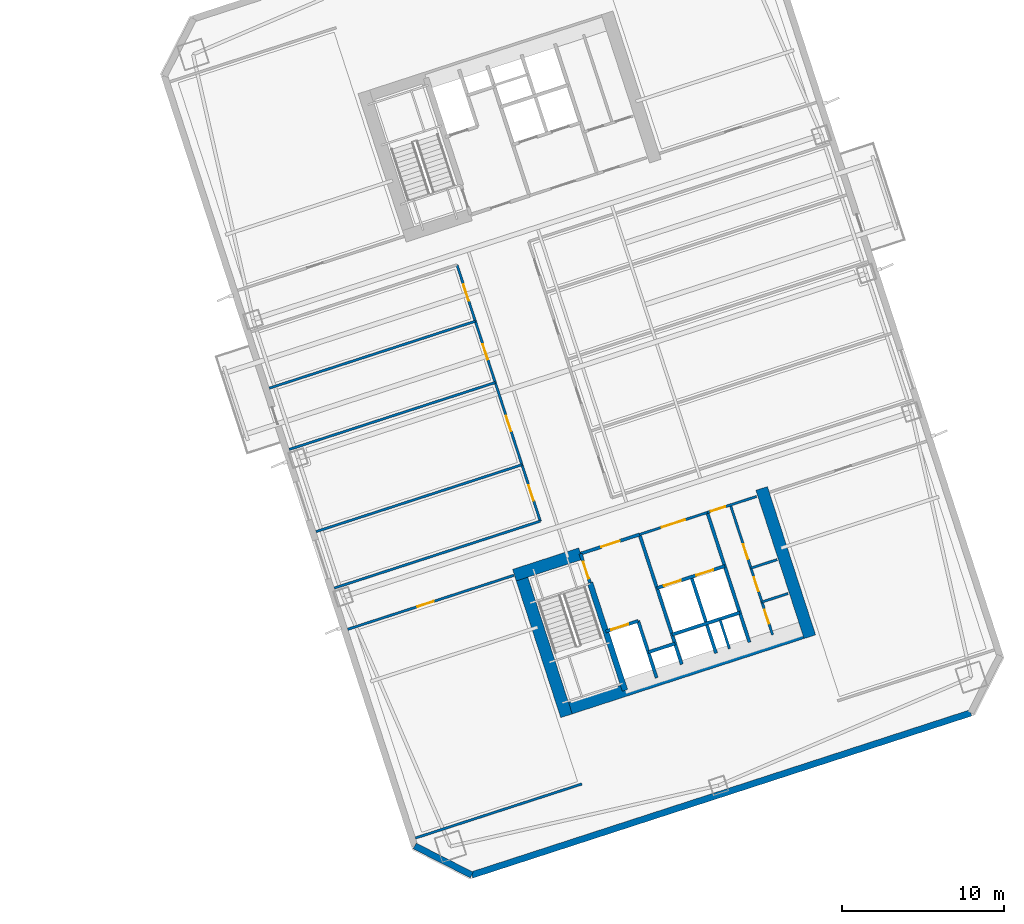
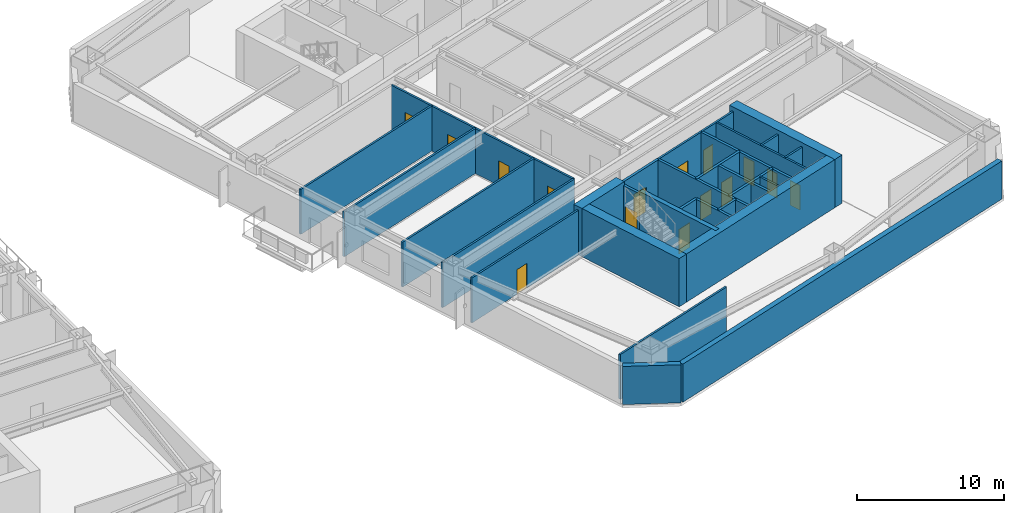
# One storey, part 7 of 21: 30 walls, 15 doors, 15 openings.
"""IFC4 building model written with IfcOpenShell, lengths in metres."""

from ifc_helpers import new_model, si_unit, direction, frame, frame_2d, origin, place, context, subcontext, project, spatial, rectangle, extrude, material, layer, layer_set, type_object, element, fill, save


model = new_model("IFC4")

# Units and contexts
model_context = context("Model", 3, precision=1e-05, world=origin(), true_north=direction((0.0, 1.0)))
body_context = subcontext(model_context, "Body", "Model", "MODEL_VIEW")
ifc_project = project(units=[si_unit("LENGTHUNIT", "METRE"), si_unit("AREAUNIT", "SQUARE_METRE"), si_unit("VOLUMEUNIT", "CUBIC_METRE"), si_unit("PLANEANGLEUNIT", "RADIAN"), si_unit("MASSUNIT", "GRAM", prefix="KILO")], contexts=[model_context])

# Site, building, storey
site_placement = place(None, origin())
site = spatial("IfcSite", under=ifc_project, at=site_placement, CompositionType="ELEMENT")
building_placement = place(site_placement, origin())
building = spatial("IfcBuilding", under=site, at=building_placement, Name="Qiaolan Cultural Towers", CompositionType="ELEMENT")
storey_placement = place(building_placement, frame((0.0, 0.0, 34.0)))
storey = spatial("IfcBuildingStorey", under=building, at=storey_placement, Name="L07", CompositionType="ELEMENT", Elevation=34.0)

# Walls
ifc_material_1 = material(Name="Concrete C50", Category="concrete")
ifc_layer_1 = layer(ifc_material_1, 0.35009765625)
ifc_layer_set_1 = layer_set([ifc_layer_1], Name="Concrete C50")
wall_type_1 = type_object("IfcWallType", Name="WL-CORE-350", PredefinedType="SHEAR", material=ifc_layer_set_1)
wall_1_placement = place(storey_placement, frame((90.486328125, 20.59423828125, 0.0), z_axis=(0.0, 0.0, 1.0), x_axis=(0.309020428229, -0.951055400562, 0.0)))
element("IfcWall", 1, at=wall_1_placement, inside=storey, type_object=wall_type_1, Name="L07 T2-CS Stair Core Dividing Web", PredefinedType="SHEAR", context=body_context, shape_type="SweptSolid", body=[
    extrude(rectangle(XDim=6.97998046875, YDim=0.35009765625, at=frame_2d((3.489990234375, 0.0))), origin(), (0.0, 0.0, 1.0), 4.0),
])
ifc_material_2 = material(Name="Concrete C60", Category="concrete")
ifc_layer_2 = layer(ifc_material_2, 0.75)
ifc_layer_set_2 = layer_set([ifc_layer_2], Name="Concrete C60")
wall_type_2 = type_object("IfcWallType", Name="WL-CORE-750", PredefinedType="SHEAR", material=ifc_layer_set_2)
wall_2_placement = place(storey_placement, frame((88.55859375, 12.628662109375, 0.0), z_axis=(0.0, 0.0, 1.0), x_axis=(0.951056072937, 0.309018358888, 0.0)))
element("IfcWall", 2, at=wall_2_placement, inside=storey, type_object=wall_type_2, Name="L07 T2-CS Outer Core Shear Wall", PredefinedType="SHEAR", context=body_context, shape_type="SweptSolid", body=[
    extrude(rectangle(XDim=16.550048828125, YDim=0.75, at=frame_2d((8.27490234375, 0.0))), origin(), (0.0, 0.0, 1.0), 4.0),
])
wall_3_placement = place(storey_placement, frame((86.05517578125, 21.54638671875, 0.0), z_axis=(0.0, 0.0, 1.0), x_axis=(0.309023585745, -0.951054374604, 0.0)))
element("IfcWall", 3, at=wall_3_placement, inside=storey, type_object=wall_type_2, Name="L07 T2-CS West Core Shear Wall", PredefinedType="SHEAR", context=body_context, shape_type="SweptSolid", body=[
    extrude(rectangle(XDim=9.6298828125, YDim=0.75, at=frame_2d((4.81494140625, 0.0))), origin(), (0.0, 0.0, 1.0), 4.0),
])
wall_4_placement = place(storey_placement, frame((101.08203125, 26.428955078125, 0.0), z_axis=(0.0, 0.0, 1.0), x_axis=(0.309016134813, -0.951056795583, 0.0)))
element("IfcWall", 4, at=wall_4_placement, inside=storey, type_object=wall_type_2, Name="L07 T2-CS East Core Shear Wall", PredefinedType="SHEAR", context=body_context, shape_type="SweptSolid", body=[
    extrude(rectangle(XDim=9.630126953125, YDim=0.75, at=frame_2d((4.81494140625, 0.0))), origin(), (0.0, 0.0, 1.0), 4.0),
])
wall_5_placement = place(storey_placement, frame((85.814453125, 21.073974609375, 0.0), z_axis=(0.0, 0.0, 1.0), x_axis=(0.95106580992, 0.308988390074, 0.0)))
element("IfcWall", 5, at=wall_5_placement, inside=storey, type_object=wall_type_2, Name="L07 T2-CS Stair Front Shear Wall", PredefinedType="SHEAR", context=body_context, shape_type="SweptSolid", body=[
    extrude(rectangle(XDim=4.295166015625, YDim=0.75, at=frame_2d((2.1474609375, 0.0))), origin(), (0.0, 0.0, 1.0), 4.0),
])
ifc_material_3 = material(Name="Precast Concrete C50 Honed Stone Pier", Category="masonry")
ifc_layer_3 = layer(ifc_material_3, 0.39990234375)
ifc_layer_set_3 = layer_set([ifc_layer_3], Name="Precast Concrete C50 Honed Stone Pier")
wall_type_3 = type_object("IfcWallType", Name="WL-EXT-PIER-400", PredefinedType="SOLIDWALL", material=ifc_layer_set_3)
wall_6_placement = place(storey_placement, frame((113.997802734375, 12.566650390625, 0.0), z_axis=(0.0, 0.0, 1.0), x_axis=(-0.951055939317, -0.309018770125, 0.0)))
element("IfcWall", 6, at=wall_6_placement, inside=storey, type_object=wall_type_3, Name="L07 East Tower Precast Pier Facade Wall F7", PredefinedType="SOLIDWALL", context=body_context, shape_type="SweptSolid", body=[
    extrude(rectangle(XDim=32.39990234375, YDim=0.39990234375, at=frame_2d((16.199951171875, 0.0))), origin(), (0.0, 0.0, 1.0), 3.159912109375),
])
wall_7_placement = place(storey_placement, frame((83.18359375, 2.554443359375, 0.0), z_axis=(0.0, 0.0, 1.0), x_axis=(-0.890998089617, 0.454007053137, 0.0)))
element("IfcWall", 7, at=wall_7_placement, inside=storey, type_object=wall_type_3, Name="L07 East Tower Precast Pier Facade Wall F8", PredefinedType="SOLIDWALL", context=body_context, shape_type="SweptSolid", body=[
    extrude(rectangle(XDim=3.9599609375, YDim=0.39990234375, at=frame_2d((1.97998046875, 0.0))), origin(), (0.0, 0.0, 1.0), 3.159912109375),
])

# Wall, opening, door
ifc_material_4 = material(Name="Concrete C35 Fire Wall", Category="concrete")
ifc_layer_4 = layer(ifc_material_4, 0.199951171875)
ifc_layer_set_4 = layer_set([ifc_layer_4], Name="Concrete C35 Fire Wall")
wall_type_4 = type_object("IfcWallType", Name="WL-FIRE-200", PredefinedType="PARTITIONING", material=ifc_layer_set_4)
wall_8_placement = place(storey_placement, frame((89.8994140625, 22.401123046875, 0.0), z_axis=(0.0, 0.0, 1.0), x_axis=(0.308932062672, -0.951084108086, 0.0)))
wall_8 = element("IfcWall", 8, at=wall_8_placement, inside=storey, type_object=wall_type_4, Name="L07 T2-CS Smokeproof Stair Entry Wall", PredefinedType="PARTITIONING", context=body_context, shape_type="SweptSolid", body=[
    extrude(rectangle(XDim=1.89990234375, YDim=0.199951171875, at=frame_2d((0.949951171875, 0.0))), origin(), (0.0, 0.0, 1.0), 3.72509765625),
])
opening_1_placement = place(wall_8_placement, frame((0.52001953125, 0.0, 0.0)))
opening_1 = element("IfcOpeningElement", 9, at=opening_1_placement, cuts=wall_8, Name="Opening FD-04", PredefinedType="OPENING", context=body_context, shape_type="SweptSolid", body=[
    extrude(rectangle(XDim=1.10009765625, YDim=2.050048828125, at=frame_2d((0.550048828125, 1.02490234375))), frame((0.0, 0.10986328125, 0.0), z_axis=(0.0, -1.0, 0.0), x_axis=(1.0, 0.0, 0.0)), (0.0, 0.0, 1.0), 0.219970703125),
])
ifc_material_5 = material(Name="Galvanized Steel Command Fire Door", Category="steel")
door_type_1 = type_object("IfcDoorType", Name="DR-FD90-1100", OperationType="NOTDEFINED", PredefinedType="DOOR", material=ifc_material_5)
door_1_placement = place(opening_1_placement, origin())
door_1 = element("IfcDoor", 10, at=door_1_placement, inside=storey, type_object=door_type_1, Name="L07 ST-E1 Smokeproof Stair Fire Door", OperationType="SINGLE_SWING_LEFT", OverallHeight=2.050048828125, OverallWidth=1.10009765625, PredefinedType="DOOR", context=body_context, shape_type="SweptSolid", body=[
    extrude(rectangle(XDim=1.10009765625, YDim=2.050048828125, at=frame_2d((0.550048828125, 1.02490234375))), frame((0.0, 0.02490234375, 0.0), z_axis=(0.0, -1.0, 0.0), x_axis=(1.0, 0.0, 0.0)), (0.0, 0.0, 1.0), 0.050048828125),
])
fill(opening_1, door_1)

# Wall
wall_9_placement = place(storey_placement, frame((93.541748046875, 23.584716796875, 0.0), z_axis=(0.0, 0.0, 1.0), x_axis=(0.309042196757, -0.951048327176, 0.0)))
element("IfcWall", 11, at=wall_9_placement, inside=storey, type_object=wall_type_4, Name="L07 T2-CS Firefighting Zone Wall", PredefinedType="PARTITIONING", context=body_context, shape_type="SweptSolid", body=[
    extrude(rectangle(XDim=8.429931640625, YDim=0.199951171875, at=frame_2d((4.21484375, 0.0))), origin(), (0.0, 0.0, 1.0), 3.72509765625),
])

# Wall, opening, door
wall_10_placement = place(storey_placement, frame((89.8994140625, 22.401123046875, 0.0), z_axis=(0.0, 0.0, 1.0), x_axis=(0.951046716504, 0.309047153403, 0.0)))
wall_10 = element("IfcWall", 12, at=wall_10_placement, inside=storey, type_object=wall_type_4, Name="L07 T2-CS Firefighting Lobby Front Wall", PredefinedType="PARTITIONING", context=body_context, shape_type="SweptSolid", body=[
    extrude(rectangle(XDim=3.829833984375, YDim=0.199951171875, at=frame_2d((1.9150390625, 0.0))), origin(), (0.0, 0.0, 1.0), 3.72509765625),
])
opening_2_placement = place(wall_10_placement, frame((1.35009765625, 0.0, 0.0)))
opening_2 = element("IfcOpeningElement", 13, at=opening_2_placement, cuts=wall_10, Name="Opening FD-03", PredefinedType="OPENING", context=body_context, shape_type="SweptSolid", body=[
    extrude(rectangle(XDim=1.199951171875, YDim=2.050048828125, at=frame_2d((0.60009765625, 1.02490234375))), frame((0.0, 0.10986328125, 0.0), z_axis=(0.0, -1.0, 0.0), x_axis=(1.0, 0.0, 0.0)), (0.0, 0.0, 1.0), 0.219970703125),
])
ifc_material_6 = material(Name="Galvanized Steel Smokeproof Lobby Fire Door", Category="steel")
door_type_2 = type_object("IfcDoorType", Name="DR-FD90-1200", OperationType="NOTDEFINED", PredefinedType="DOOR", material=ifc_material_6)
door_2_placement = place(opening_2_placement, origin())
door_2 = element("IfcDoor", 14, at=door_2_placement, inside=storey, type_object=door_type_2, Name="L07 FFL-E1 Firefighting Lobby Fire Door", OperationType="SINGLE_SWING_LEFT", OverallHeight=2.050048828125, OverallWidth=1.199951171875, PredefinedType="DOOR", context=body_context, shape_type="SweptSolid", body=[
    extrude(rectangle(XDim=1.199951171875, YDim=2.050048828125, at=frame_2d((0.60009765625, 1.02490234375))), frame((0.0, 0.02490234375, 0.0), z_axis=(0.0, -1.0, 0.0), x_axis=(1.0, 0.0, 0.0)), (0.0, 0.0, 1.0), 0.050048828125),
])
fill(opening_2, door_2)

wall_11_placement = place(storey_placement, frame((91.459716796875, 17.598388671875, 0.0), z_axis=(0.0, 0.0, 1.0), x_axis=(0.951062257173, 0.308999325213, 0.0)))
wall_11 = element("IfcWall", 15, at=wall_11_placement, inside=storey, type_object=wall_type_4, Name="L07 T2-CS Firefighting Shaft Front Wall", PredefinedType="PARTITIONING", context=body_context, shape_type="SweptSolid", body=[
    extrude(rectangle(XDim=2.10009765625, YDim=0.199951171875, at=frame_2d((1.050048828125, 0.0))), origin(), (0.0, 0.0, 1.0), 3.72509765625),
])
opening_3_placement = place(wall_11_placement, frame((0.35009765625, 0.0, 0.0)))
opening_3 = element("IfcOpeningElement", 16, at=opening_3_placement, cuts=wall_11, Name="Opening LD-01", PredefinedType="OPENING", context=body_context, shape_type="SweptSolid", body=[
    extrude(rectangle(XDim=1.10009765625, YDim=2.050048828125, at=frame_2d((0.550048828125, 1.02490234375))), frame((0.0, 0.10986328125, 0.0), z_axis=(0.0, -1.0, 0.0), x_axis=(1.0, 0.0, 0.0)), (0.0, 0.0, 1.0), 0.219970703125),
])
ifc_material_7 = material(Name="Brushed Stainless Steel S30408 Centre-Parting Lift Landing Door", Category="steel")
door_type_3 = type_object("IfcDoorType", Name="DR-LIFT-1100", OperationType="NOTDEFINED", PredefinedType="DOOR", material=ifc_material_7)
door_3_placement = place(opening_3_placement, origin())
door_3 = element("IfcDoor", 17, at=door_3_placement, inside=storey, type_object=door_type_3, Name="L07 FFL-E1 Firefighting Lift Landing Door", OperationType="DOUBLE_DOOR_SLIDING", OverallHeight=2.050048828125, OverallWidth=1.10009765625, PredefinedType="DOOR", context=body_context, shape_type="SweptSolid", body=[
    extrude(rectangle(XDim=1.10009765625, YDim=2.050048828125, at=frame_2d((0.550048828125, 1.02490234375))), frame((0.0, 0.02490234375, 0.0), z_axis=(0.0, -1.0, 0.0), x_axis=(1.0, 0.0, 0.0)), (0.0, 0.0, 1.0), 0.050048828125),
])
fill(opening_3, door_3)

# Walls
wall_12_placement = place(storey_placement, frame((93.45703125, 18.247314453125, 0.0), z_axis=(0.0, 0.0, 1.0), x_axis=(0.3089935693, -0.951064127245, 0.0)))
element("IfcWall", 18, at=wall_12_placement, inside=storey, type_object=wall_type_4, Name="L07 T2-CS Firefighting Hoistway East Wall", PredefinedType="PARTITIONING", context=body_context, shape_type="SweptSolid", body=[
    extrude(rectangle(XDim=3.7001953125, YDim=0.199951171875, at=frame_2d((1.85009765625, 0.0))), origin(), (0.0, 0.0, 1.0), 3.72509765625),
])
wall_13_placement = place(storey_placement, frame((94.08447265625, 16.316650390625, 0.0), z_axis=(0.0, 0.0, 1.0), x_axis=(0.951041328149, 0.309063734775, 0.0)))
element("IfcWall", 19, at=wall_13_placement, inside=storey, type_object=wall_type_4, Name="L07 T2-CS Pressurization Shaft Front Wall", PredefinedType="PARTITIONING", context=body_context, shape_type="SweptSolid", body=[
    extrude(rectangle(XDim=1.72998046875, YDim=0.199951171875, at=frame_2d((0.864990234375, 0.0))), origin(), (0.0, 0.0, 1.0), 3.72509765625),
])
wall_14_placement = place(storey_placement, frame((97.7265625, 24.9443359375, 0.0), z_axis=(0.0, 0.0, 1.0), x_axis=(0.309016001439, -0.951056838919, 0.0)))
element("IfcWall", 20, at=wall_14_placement, inside=storey, type_object=wall_type_4, Name="L07 T2-CS Lift Core East Wall", PredefinedType="PARTITIONING", context=body_context, shape_type="SweptSolid", body=[
    extrude(rectangle(XDim=8.429931640625, YDim=0.199951171875, at=frame_2d((4.21484375, 0.0))), origin(), (0.0, 0.0, 1.0), 3.72509765625),
])

# Wall, openings, doors
wall_15_placement = place(storey_placement, frame((94.6171875, 20.275146484375, 0.0), z_axis=(0.0, 0.0, 1.0), x_axis=(0.951058531764, 0.30901079133, 0.0)))
wall_15 = element("IfcWall", 21, at=wall_15_placement, inside=storey, type_object=wall_type_4, Name="L07 T2-CS Passenger Lift Shaft Front Wall", PredefinedType="PARTITIONING", context=body_context, shape_type="SweptSolid", body=[
    extrude(rectangle(XDim=4.39990234375, YDim=0.199951171875, at=frame_2d((2.199951171875, 0.0))), origin(), (0.0, 0.0, 1.0), 3.72509765625),
])
opening_4_placement = place(wall_15_placement, frame((0.449951171875, 0.0, 0.0)))
opening_4 = element("IfcOpeningElement", 22, at=opening_4_placement, cuts=wall_15, Name="Opening LD-01", PredefinedType="OPENING", context=body_context, shape_type="SweptSolid", body=[
    extrude(rectangle(XDim=1.10009765625, YDim=2.050048828125, at=frame_2d((0.550048828125, 1.02490234375))), frame((0.0, 0.10986328125, 0.0), z_axis=(0.0, -1.0, 0.0), x_axis=(1.0, 0.0, 0.0)), (0.0, 0.0, 1.0), 0.219970703125),
])
opening_5_placement = place(wall_15_placement, frame((2.550048828125, 0.0, 0.0)))
opening_5 = element("IfcOpeningElement", 23, at=opening_5_placement, cuts=wall_15, Name="Opening LD-01", PredefinedType="OPENING", context=body_context, shape_type="SweptSolid", body=[
    extrude(rectangle(XDim=1.10009765625, YDim=2.050048828125, at=frame_2d((0.550048828125, 1.02490234375))), frame((0.0, 0.10986328125, 0.0), z_axis=(0.0, -1.0, 0.0), x_axis=(1.0, 0.0, 0.0)), (0.0, 0.0, 1.0), 0.219970703125),
])
door_4_placement = place(opening_4_placement, origin())
door_4 = element("IfcDoor", 24, at=door_4_placement, inside=storey, type_object=door_type_3, Name="L07 Passenger Lift 1 Landing Door", OperationType="DOUBLE_DOOR_SLIDING", OverallHeight=2.050048828125, OverallWidth=1.10009765625, PredefinedType="DOOR", context=body_context, shape_type="SweptSolid", body=[
    extrude(rectangle(XDim=1.10009765625, YDim=2.050048828125, at=frame_2d((0.550048828125, 1.02490234375))), frame((0.0, 0.02490234375, 0.0), z_axis=(0.0, -1.0, 0.0), x_axis=(1.0, 0.0, 0.0)), (0.0, 0.0, 1.0), 0.050048828125),
])
fill(opening_4, door_4)
door_5_placement = place(opening_5_placement, origin())
door_5 = element("IfcDoor", 25, at=door_5_placement, inside=storey, type_object=door_type_3, Name="L07 Passenger Lift 2 Landing Door", OperationType="DOUBLE_DOOR_SLIDING", OverallHeight=2.050048828125, OverallWidth=1.10009765625, PredefinedType="DOOR", context=body_context, shape_type="SweptSolid", body=[
    extrude(rectangle(XDim=1.10009765625, YDim=2.050048828125, at=frame_2d((0.550048828125, 1.02490234375))), frame((0.0, 0.02490234375, 0.0), z_axis=(0.0, -1.0, 0.0), x_axis=(1.0, 0.0, 0.0)), (0.0, 0.0, 1.0), 0.050048828125),
])
fill(opening_5, door_5)

# Walls
wall_16_placement = place(storey_placement, frame((96.738037109375, 20.964111328125, 0.0), z_axis=(0.0, 0.0, 1.0), x_axis=(0.309042578481, -0.951048203135, 0.0)))
element("IfcWall", 26, at=wall_16_placement, inside=storey, type_object=wall_type_4, Name="L07 T2-CS Lift Shaft Divider Wall", PredefinedType="PARTITIONING", context=body_context, shape_type="SweptSolid", body=[
    extrude(rectangle(XDim=4.9501953125, YDim=0.199951171875, at=frame_2d((2.47509765625, 0.0))), origin(), (0.0, 0.0, 1.0), 3.72509765625),
])
wall_17_placement = place(storey_placement, frame((95.550537109375, 17.40283203125, 0.0), z_axis=(0.0, 0.0, 1.0), x_axis=(0.951058531764, 0.30901079133, 0.0)))
element("IfcWall", 27, at=wall_17_placement, inside=storey, type_object=wall_type_4, Name="L07 T2-CS Passenger Lift Shaft Back Wall", PredefinedType="PARTITIONING", context=body_context, shape_type="SweptSolid", body=[
    extrude(rectangle(XDim=4.39990234375, YDim=0.199951171875, at=frame_2d((2.199951171875, 0.0))), origin(), (0.0, 0.0, 1.0), 3.72509765625),
])

# Wall, opening, door
ifc_material_8 = material(Name="Autoclaved Aerated Concrete Block B06", Category="concrete")
ifc_layer_5 = layer(ifc_material_8, 0.14990234375)
ifc_layer_set_5 = layer_set([ifc_layer_5], Name="Autoclaved Aerated Concrete Block B06")
wall_type_5 = type_object("IfcWallType", Name="WL-PART-150", PredefinedType="PARTITIONING", material=ifc_layer_set_5)
wall_18_placement = place(storey_placement, frame((93.541748046875, 23.584716796875, 0.0), z_axis=(0.0, 0.0, 1.0), x_axis=(0.951063829732, 0.308994485023, 0.0)))
wall_18 = element("IfcWall", 28, at=wall_18_placement, inside=storey, type_object=wall_type_5, Name="L07 T2-CS Passenger Lift Lobby Front Wall", PredefinedType="PARTITIONING", context=body_context, shape_type="SweptSolid", body=[
    extrude(rectangle(XDim=4.400146484375, YDim=0.14990234375, at=frame_2d((2.2001953125, 0.0))), origin(), (0.0, 0.0, 1.0), 3.72509765625),
])
opening_6_placement = place(wall_18_placement, frame((1.449951171875, 0.0, 0.0)))
opening_6 = element("IfcOpeningElement", 29, at=opening_6_placement, cuts=wall_18, Name="Opening FD-05", PredefinedType="OPENING", context=body_context, shape_type="SweptSolid", body=[
    extrude(rectangle(XDim=1.5, YDim=2.050048828125, at=frame_2d((0.75, 1.02490234375))), frame((0.0, 0.0849609375, 0.0), z_axis=(0.0, -1.0, 0.0), x_axis=(1.0, 0.0, 0.0)), (0.0, 0.0, 1.0), 0.169921875),
])
ifc_material_9 = material(Name="Painted Steel Lift Lobby Fire Door", Category="steel")
door_type_4 = type_object("IfcDoorType", Name="DR-FD60-1500", OperationType="NOTDEFINED", PredefinedType="DOOR", material=ifc_material_9)
door_6_placement = place(opening_6_placement, origin())
door_6 = element("IfcDoor", 30, at=door_6_placement, inside=storey, type_object=door_type_4, Name="L07 Passenger Lift Lobby Entrance", OperationType="SINGLE_SWING_LEFT", OverallHeight=2.050048828125, OverallWidth=1.5, PredefinedType="DOOR", context=body_context, shape_type="SweptSolid", body=[
    extrude(rectangle(XDim=1.5, YDim=2.050048828125, at=frame_2d((0.75, 1.02490234375))), frame((0.0, 0.02490234375, 0.0), z_axis=(0.0, -1.0, 0.0), x_axis=(1.0, 0.0, 0.0)), (0.0, 0.0, 1.0), 0.050048828125),
])
fill(opening_6, door_6)

# Wall
wall_19_placement = place(storey_placement, frame((98.51416015625, 18.313232421875, 0.0), z_axis=(0.0, 0.0, 1.0), x_axis=(0.309089008895, -0.951033114345, 0.0)))
element("IfcWall", 31, at=wall_19_placement, inside=storey, type_object=wall_type_5, Name="L07 T2-CS Core Rear Asymmetric Wall", PredefinedType="PARTITIONING", context=body_context, shape_type="SweptSolid", body=[
    extrude(rectangle(XDim=1.8798828125, YDim=0.14990234375, at=frame_2d((0.93994140625, 0.0))), origin(), (0.0, 0.0, 1.0), 3.72509765625),
])

# Wall, opening, door
wall_20_placement = place(storey_placement, frame((97.7265625, 24.9443359375, 0.0), z_axis=(0.0, 0.0, 1.0), x_axis=(0.951036872128, 0.309077446369, 0.0)))
wall_20 = element("IfcWall", 32, at=wall_20_placement, inside=storey, type_object=wall_type_5, Name="L07 T2-CS Sanitary Core Front Wall", PredefinedType="PARTITIONING", context=body_context, shape_type="SweptSolid", body=[
    extrude(rectangle(XDim=3.199951171875, YDim=0.14990234375, at=frame_2d((1.60009765625, 0.0))), origin(), (0.0, 0.0, 1.0), 3.72509765625),
])
opening_7_placement = place(wall_20_placement, frame((0.219970703125, 0.0, 0.0)))
opening_7 = element("IfcOpeningElement", 33, at=opening_7_placement, cuts=wall_20, Name="Opening ID-05", PredefinedType="OPENING", context=body_context, shape_type="SweptSolid", body=[
    extrude(rectangle(XDim=0.949951171875, YDim=2.050048828125, at=frame_2d((0.47509765625, 1.02490234375))), frame((0.0, 0.0849609375, 0.0), z_axis=(0.0, -1.0, 0.0), x_axis=(1.0, 0.0, 0.0)), (0.0, 0.0, 1.0), 0.169921875),
])
ifc_material_10 = material(Name="Fire-Rated Laminate Accessible Core Door", Category="timber")
door_type_5 = type_object("IfcDoorType", Name="DR-INT-950", OperationType="NOTDEFINED", PredefinedType="DOOR", material=ifc_material_10)
door_7_placement = place(opening_7_placement, origin())
door_7 = element("IfcDoor", 34, at=door_7_placement, inside=storey, type_object=door_type_5, Name="L07 Sanitary Vestibule Door", OperationType="SINGLE_SWING_LEFT", OverallHeight=2.050048828125, OverallWidth=0.949951171875, PredefinedType="DOOR", context=body_context, shape_type="SweptSolid", body=[
    extrude(rectangle(XDim=0.949951171875, YDim=2.050048828125, at=frame_2d((0.47509765625, 1.02490234375))), frame((0.0, 0.02490234375, 0.0), z_axis=(0.0, -1.0, 0.0), x_axis=(1.0, 0.0, 0.0)), (0.0, 0.0, 1.0), 0.050048828125),
])
fill(opening_7, door_7)

# Wall, openings, doors
wall_21_placement = place(storey_placement, frame((99.153076171875, 25.407958984375, 0.0), z_axis=(0.0, 0.0, 1.0), x_axis=(0.309016001439, -0.951056838919, 0.0)))
wall_21 = element("IfcWall", 35, at=wall_21_placement, inside=storey, type_object=wall_type_5, Name="L07 T2-CS Sanitary Vestibule Wall", PredefinedType="PARTITIONING", context=body_context, shape_type="SweptSolid", body=[
    extrude(rectangle(XDim=8.429931640625, YDim=0.14990234375, at=frame_2d((4.21484375, 0.0))), origin(), (0.0, 0.0, 1.0), 3.72509765625),
])
opening_8_placement = place(wall_21_placement, frame((2.550048828125, 0.0, 0.0)))
opening_8 = element("IfcOpeningElement", 36, at=opening_8_placement, cuts=wall_21, Name="Opening ID-05", PredefinedType="OPENING", context=body_context, shape_type="SweptSolid", body=[
    extrude(rectangle(XDim=0.949951171875, YDim=2.050048828125, at=frame_2d((0.47509765625, 1.02490234375))), frame((0.0, 0.0849609375, 0.0), z_axis=(0.0, -1.0, 0.0), x_axis=(1.0, 0.0, 0.0)), (0.0, 0.0, 1.0), 0.169921875),
])
opening_9_placement = place(wall_21_placement, frame((4.699951171875, 0.0, 0.0)))
opening_9 = element("IfcOpeningElement", 37, at=opening_9_placement, cuts=wall_21, Name="Opening ID-06", PredefinedType="OPENING", context=body_context, shape_type="SweptSolid", body=[
    extrude(rectangle(XDim=0.89990234375, YDim=2.050048828125, at=frame_2d((0.449951171875, 1.02490234375))), frame((0.0, 0.0849609375, 0.0), z_axis=(0.0, -1.0, 0.0), x_axis=(1.0, 0.0, 0.0)), (0.0, 0.0, 1.0), 0.169921875),
])
opening_10_placement = place(wall_21_placement, frame((6.800048828125, 0.0, 0.0)))
opening_10 = element("IfcOpeningElement", 38, at=opening_10_placement, cuts=wall_21, Name="Opening ID-06", PredefinedType="OPENING", context=body_context, shape_type="SweptSolid", body=[
    extrude(rectangle(XDim=0.89990234375, YDim=2.050048828125, at=frame_2d((0.449951171875, 1.02490234375))), frame((0.0, 0.0849609375, 0.0), z_axis=(0.0, -1.0, 0.0), x_axis=(1.0, 0.0, 0.0)), (0.0, 0.0, 1.0), 0.169921875),
])
ifc_material_11 = material(Name="Fire-Rated Laminate Core Service Door", Category="timber")
door_type_6 = type_object("IfcDoorType", Name="DR-INT-900", OperationType="NOTDEFINED", PredefinedType="DOOR", material=ifc_material_11)
door_8_placement = place(opening_9_placement, origin())
door_8 = element("IfcDoor", 39, at=door_8_placement, inside=storey, type_object=door_type_6, Name="L07 Men Washroom Door", OperationType="SINGLE_SWING_LEFT", OverallHeight=2.050048828125, OverallWidth=0.89990234375, PredefinedType="DOOR", context=body_context, shape_type="SweptSolid", body=[
    extrude(rectangle(XDim=0.89990234375, YDim=2.050048828125, at=frame_2d((0.449951171875, 1.02490234375))), frame((0.0, 0.02490234375, 0.0), z_axis=(0.0, -1.0, 0.0), x_axis=(1.0, 0.0, 0.0)), (0.0, 0.0, 1.0), 0.050048828125),
])
fill(opening_9, door_8)
door_9_placement = place(opening_10_placement, origin())
door_9 = element("IfcDoor", 40, at=door_9_placement, inside=storey, type_object=door_type_6, Name="L07 Women Washroom Door", OperationType="SINGLE_SWING_RIGHT", OverallHeight=2.050048828125, OverallWidth=0.89990234375, PredefinedType="DOOR", context=body_context, shape_type="SweptSolid", body=[
    extrude(rectangle(XDim=0.89990234375, YDim=2.050048828125, at=frame_2d((0.449951171875, 1.02490234375))), frame((0.0, 0.02490234375, 0.0), z_axis=(0.0, -1.0, 0.0), x_axis=(1.0, 0.0, 0.0)), (0.0, 0.0, 1.0), 0.050048828125),
])
fill(opening_10, door_9)
door_10_placement = place(opening_8_placement, origin())
door_10 = element("IfcDoor", 41, at=door_10_placement, inside=storey, type_object=door_type_5, Name="L07 Accessible Family Washroom Door", OperationType="SINGLE_SWING_LEFT", OverallHeight=2.050048828125, OverallWidth=0.949951171875, PredefinedType="DOOR", context=body_context, shape_type="SweptSolid", body=[
    extrude(rectangle(XDim=0.949951171875, YDim=2.050048828125, at=frame_2d((0.47509765625, 1.02490234375))), frame((0.0, 0.02490234375, 0.0), z_axis=(0.0, -1.0, 0.0), x_axis=(1.0, 0.0, 0.0)), (0.0, 0.0, 1.0), 0.050048828125),
])
fill(opening_8, door_10)

# Walls
wall_22_placement = place(storey_placement, frame((100.420166015625, 21.508544921875, 0.0), z_axis=(0.0, 0.0, 1.0), x_axis=(0.951040401051, 0.309066587596, 0.0)))
element("IfcWall", 42, at=wall_22_placement, inside=storey, type_object=wall_type_5, Name="L07 T2-CS Restroom Split Wall 1", PredefinedType="PARTITIONING", context=body_context, shape_type="SweptSolid", body=[
    extrude(rectangle(XDim=1.699951171875, YDim=0.14990234375, at=frame_2d((0.85009765625, 0.0))), origin(), (0.0, 0.0, 1.0), 3.72509765625),
])
wall_23_placement = place(storey_placement, frame((101.099853515625, 19.416259765625, 0.0), z_axis=(0.0, 0.0, 1.0), x_axis=(0.951054116971, 0.309024378638, 0.0)))
element("IfcWall", 43, at=wall_23_placement, inside=storey, type_object=wall_type_5, Name="L07 T2-CS Restroom Split Wall 2", PredefinedType="PARTITIONING", context=body_context, shape_type="SweptSolid", body=[
    extrude(rectangle(XDim=1.7001953125, YDim=0.14990234375, at=frame_2d((0.85009765625, 0.0))), origin(), (0.0, 0.0, 1.0), 3.72509765625),
])
wall_24_placement = place(storey_placement, frame((79.70654296875, 4.842041015625, 0.0), z_axis=(0.0, 0.0, 1.0), x_axis=(0.951056658866, 0.309016555588, 0.0)))
element("IfcWall", 44, at=wall_24_placement, inside=storey, type_object=wall_type_5, Name="L07 T2 Flank Wall FLK-SW", PredefinedType="PARTITIONING", context=body_context, shape_type="SweptSolid", body=[
    extrude(rectangle(XDim=10.800048828125, YDim=0.14990234375, at=frame_2d((5.39990234375, 0.0))), origin(), (0.0, 0.0, 1.0), 3.72509765625),
])

# Wall, opening, door
wall_25_placement = place(storey_placement, frame((75.519287109375, 17.728759765625, 0.0), z_axis=(0.0, 0.0, 1.0), x_axis=(0.951056658866, 0.309016555588, 0.0)))
wall_25 = element("IfcWall", 45, at=wall_25_placement, inside=storey, type_object=wall_type_5, Name="L07 T2 Flank Front FLK-SW", PredefinedType="PARTITIONING", context=body_context, shape_type="SweptSolid", body=[
    extrude(rectangle(XDim=10.800048828125, YDim=0.14990234375, at=frame_2d((5.39990234375, 0.0))), origin(), (0.0, 0.0, 1.0), 3.72509765625),
])
opening_11_placement = place(wall_25_placement, frame((4.535888671875, 0.0, 0.0)))
opening_11 = element("IfcOpeningElement", 46, at=opening_11_placement, cuts=wall_25, Name="Opening ID-07", PredefinedType="OPENING", context=body_context, shape_type="SweptSolid", body=[
    extrude(rectangle(XDim=1.050048828125, YDim=2.050048828125, at=frame_2d((0.52490234375, 1.02490234375))), frame((0.0, 0.0849609375, 0.0), z_axis=(0.0, -1.0, 0.0), x_axis=(1.0, 0.0, 0.0)), (0.0, 0.0, 1.0), 0.169921875),
])
ifc_material_12 = material(Name="Oak Veneer Consultation Door", Category="timber")
door_type_7 = type_object("IfcDoorType", Name="DR-INT-1050", OperationType="NOTDEFINED", PredefinedType="DOOR", material=ifc_material_12)
door_11_placement = place(opening_11_placement, origin())
door_11 = element("IfcDoor", 47, at=door_11_placement, inside=storey, type_object=door_type_7, Name="L07 T2 Corner Studio Door", OperationType="SINGLE_SWING_LEFT", OverallHeight=2.050048828125, OverallWidth=1.050048828125, PredefinedType="DOOR", context=body_context, shape_type="SweptSolid", body=[
    extrude(rectangle(XDim=1.050048828125, YDim=2.050048828125, at=frame_2d((0.52490234375, 1.02490234375))), frame((0.0, 0.02490234375, 0.0), z_axis=(0.0, -1.0, 0.0), x_axis=(1.0, 0.0, 0.0)), (0.0, 0.0, 1.0), 0.050048828125),
])
fill(opening_11, door_11)

# Wall
wall_26_placement = place(storey_placement, frame((74.691162109375, 20.277587890625, 0.0), z_axis=(0.0, 0.0, 1.0), x_axis=(0.951052712421, 0.309028701251, 0.0)))
element("IfcWall", 48, at=wall_26_placement, inside=storey, type_object=wall_type_5, Name="L07 T2 South Corridor Left Wall", PredefinedType="PARTITIONING", context=body_context, shape_type="SweptSolid", body=[
    extrude(rectangle(XDim=13.375244140625, YDim=0.14990234375, at=frame_2d((6.6875, 0.0))), origin(), (0.0, 0.0, 1.0), 3.72509765625),
])

# Wall, openings, doors
wall_27_placement = place(storey_placement, frame((87.41162109375, 24.410888671875, 0.0), z_axis=(0.0, 0.0, 1.0), x_axis=(-0.309022042254, 0.951054876125, 0.0)))
wall_27 = element("IfcWall", 49, at=wall_27_placement, inside=storey, type_object=wall_type_5, Name="L07 T2 West Spine Wall", PredefinedType="PARTITIONING", context=body_context, shape_type="SweptSolid", body=[
    extrude(rectangle(XDim=16.639892578125, YDim=0.14990234375, at=frame_2d((8.31982421875, 0.0))), origin(), (0.0, 0.0, 1.0), 3.72509765625),
])
opening_12_placement = place(wall_27_placement, frame((1.330322265625, 0.0, 0.0)))
opening_12 = element("IfcOpeningElement", 50, at=opening_12_placement, cuts=wall_27, Name="Opening ID-04", PredefinedType="OPENING", context=body_context, shape_type="SweptSolid", body=[
    extrude(rectangle(XDim=1.0, YDim=2.050048828125, at=frame_2d((0.5, 1.02490234375))), frame((0.0, 0.0849609375, 0.0), z_axis=(0.0, -1.0, 0.0), x_axis=(1.0, 0.0, 0.0)), (0.0, 0.0, 1.0), 0.169921875),
])
opening_13_placement = place(wall_27_placement, frame((5.830322265625, 0.0, 0.0)))
opening_13 = element("IfcOpeningElement", 51, at=opening_13_placement, cuts=wall_27, Name="Opening ID-04", PredefinedType="OPENING", context=body_context, shape_type="SweptSolid", body=[
    extrude(rectangle(XDim=1.0, YDim=2.050048828125, at=frame_2d((0.5, 1.02490234375))), frame((0.0, 0.0849609375, 0.0), z_axis=(0.0, -1.0, 0.0), x_axis=(1.0, 0.0, 0.0)), (0.0, 0.0, 1.0), 0.169921875),
])
opening_14_placement = place(wall_27_placement, frame((10.489501953125, 0.0, 0.0)))
opening_14 = element("IfcOpeningElement", 52, at=opening_14_placement, cuts=wall_27, Name="Opening ID-04", PredefinedType="OPENING", context=body_context, shape_type="SweptSolid", body=[
    extrude(rectangle(XDim=1.0, YDim=2.050048828125, at=frame_2d((0.5, 1.02490234375))), frame((0.0, 0.0849609375, 0.0), z_axis=(0.0, -1.0, 0.0), x_axis=(1.0, 0.0, 0.0)), (0.0, 0.0, 1.0), 0.169921875),
])
opening_15_placement = place(wall_27_placement, frame((14.3095703125, 0.0, 0.0)))
opening_15 = element("IfcOpeningElement", 53, at=opening_15_placement, cuts=wall_27, Name="Opening ID-07", PredefinedType="OPENING", context=body_context, shape_type="SweptSolid", body=[
    extrude(rectangle(XDim=1.050048828125, YDim=2.050048828125, at=frame_2d((0.52490234375, 1.02490234375))), frame((0.0, 0.0849609375, 0.0), z_axis=(0.0, -1.0, 0.0), x_axis=(1.0, 0.0, 0.0)), (0.0, 0.0, 1.0), 0.169921875),
])
ifc_material_13 = material(Name="Oak Veneer Acoustic Office Door", Category="timber")
door_type_8 = type_object("IfcDoorType", Name="DR-INT-1000", OperationType="NOTDEFINED", PredefinedType="DOOR", material=ifc_material_13)
door_12_placement = place(opening_12_placement, origin())
door_12 = element("IfcDoor", 54, at=door_12_placement, inside=storey, type_object=door_type_8, Name="L07 T2 Gallery Exhibition Room Door", OperationType="SINGLE_SWING_LEFT", OverallHeight=2.050048828125, OverallWidth=1.0, PredefinedType="DOOR", context=body_context, shape_type="SweptSolid", body=[
    extrude(rectangle(XDim=1.0, YDim=2.050048828125, at=frame_2d((0.5, 1.02490234375))), frame((0.0, 0.02490234375, 0.0), z_axis=(0.0, -1.0, 0.0), x_axis=(1.0, 0.0, 0.0)), (0.0, 0.0, 1.0), 0.050048828125),
])
fill(opening_12, door_12)
door_13_placement = place(opening_13_placement, origin())
door_13 = element("IfcDoor", 55, at=door_13_placement, inside=storey, type_object=door_type_8, Name="L07 T2 Curatorial Office Door", OperationType="SINGLE_SWING_RIGHT", OverallHeight=2.050048828125, OverallWidth=1.0, PredefinedType="DOOR", context=body_context, shape_type="SweptSolid", body=[
    extrude(rectangle(XDim=1.0, YDim=2.050048828125, at=frame_2d((0.5, 1.02490234375))), frame((0.0, 0.02490234375, 0.0), z_axis=(0.0, -1.0, 0.0), x_axis=(1.0, 0.0, 0.0)), (0.0, 0.0, 1.0), 0.050048828125),
])
fill(opening_13, door_13)
door_14_placement = place(opening_14_placement, origin())
door_14 = element("IfcDoor", 56, at=door_14_placement, inside=storey, type_object=door_type_8, Name="L07 T2 Conservation Studio Door", OperationType="SINGLE_SWING_LEFT", OverallHeight=2.050048828125, OverallWidth=1.0, PredefinedType="DOOR", context=body_context, shape_type="SweptSolid", body=[
    extrude(rectangle(XDim=1.0, YDim=2.050048828125, at=frame_2d((0.5, 1.02490234375))), frame((0.0, 0.02490234375, 0.0), z_axis=(0.0, -1.0, 0.0), x_axis=(1.0, 0.0, 0.0)), (0.0, 0.0, 1.0), 0.050048828125),
])
fill(opening_14, door_14)
door_15_placement = place(opening_15_placement, origin())
door_15 = element("IfcDoor", 57, at=door_15_placement, inside=storey, type_object=door_type_7, Name="L07 T2 Gallery Exhibition Room Door", OperationType="SINGLE_SWING_RIGHT", OverallHeight=2.050048828125, OverallWidth=1.050048828125, PredefinedType="DOOR", context=body_context, shape_type="SweptSolid", body=[
    extrude(rectangle(XDim=1.050048828125, YDim=2.050048828125, at=frame_2d((0.52490234375, 1.02490234375))), frame((0.0, 0.02490234375, 0.0), z_axis=(0.0, -1.0, 0.0), x_axis=(1.0, 0.0, 0.0)), (0.0, 0.0, 1.0), 0.050048828125),
])
fill(opening_15, door_15)

# Walls
for number, where, z_axis, x_axis, name in (
    (58, (73.559814453125, 23.75927734375, 0.0), (0.0, 0.0, 1.0), (0.951058077006, 0.309012190961, 0.0), "L07 T2 West Partition 1"),
    (59, (71.909912109375, 28.837158203125, 0.0), (0.0, 0.0, 1.0), (0.951058077006, 0.309012190961, 0.0), "L07 T2 West Partition 2"),
):
    element("IfcWall", number, at=place(storey_placement, frame(where, z_axis=z_axis, x_axis=x_axis)), inside=storey, type_object=wall_type_5, Name=name, PredefinedType="PARTITIONING", context=body_context, shape_type="SweptSolid", body=[
        extrude(rectangle(XDim=13.375, YDim=0.14990234375, at=frame_2d((6.6875, 0.0))), origin(), (0.0, 0.0, 1.0), 3.72509765625),
    ])
wall_28_placement = place(storey_placement, frame((70.680419921875, 32.62158203125, 0.0), z_axis=(0.0, 0.0, 1.0), x_axis=(0.951056333968, 0.309017555521, 0.0)))
element("IfcWall", 60, at=wall_28_placement, inside=storey, type_object=wall_type_5, Name="L07 T2 West Partition 3", PredefinedType="PARTITIONING", context=body_context, shape_type="SweptSolid", body=[
    extrude(rectangle(XDim=13.374755859375, YDim=0.14990234375, at=frame_2d((6.6875, 0.0))), origin(), (0.0, 0.0, 1.0), 3.72509765625),
])

save(model, "model.ifc")
